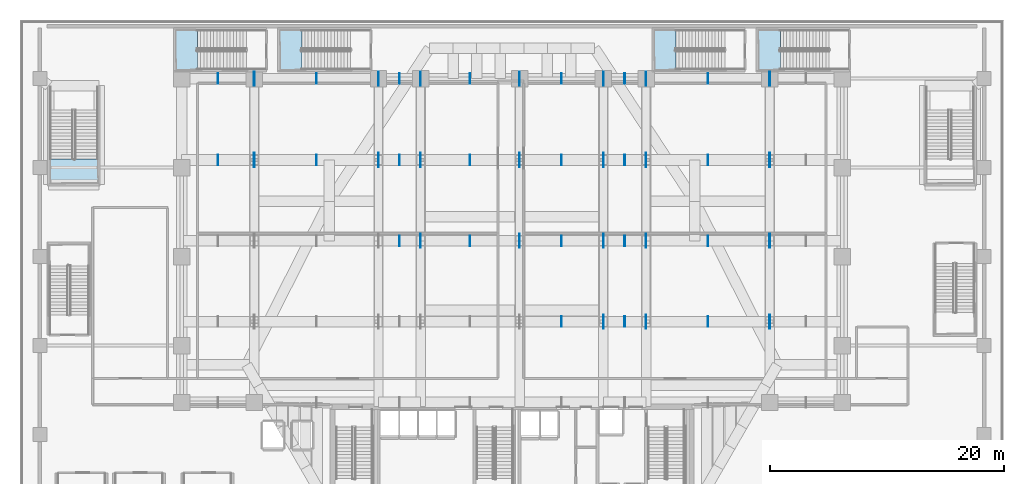
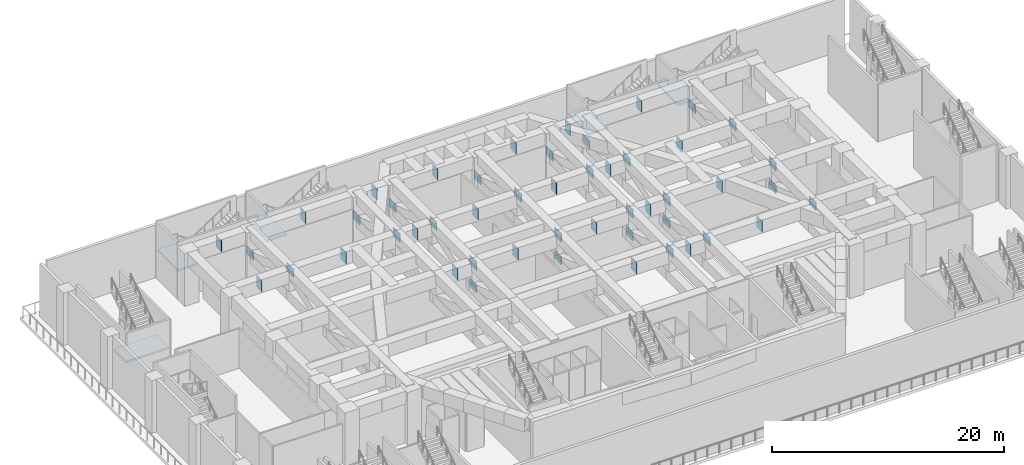
# One storey, part 7 of 27: 49 plates, 5 slabs, 5 elements without a shape of their own.
"""IFC4 building model written with IfcOpenShell, lengths in metres."""

from ifc_helpers import new_model, si_unit, direction, frame, origin, origin_2d, place, context, subcontext, project, spatial, polyline, rectangle, outline, extrude, material, layer, layer_set, type_object, element, aggregate, save


model = new_model("IFC4")

# Units and contexts
model_context = context("Model", 3, precision=1e-05, world=origin(), true_north=direction((0.0, 1.0)))
body_context = subcontext(model_context, "Body", "Model", "MODEL_VIEW")
ifc_project = project(units=[si_unit("LENGTHUNIT", "METRE"), si_unit("AREAUNIT", "SQUARE_METRE"), si_unit("VOLUMEUNIT", "CUBIC_METRE"), si_unit("PLANEANGLEUNIT", "RADIAN"), si_unit("MASSUNIT", "GRAM", prefix="KILO")], contexts=[model_context])

# Site, building, storey
site_placement = place(None, origin())
site = spatial("IfcSite", under=ifc_project, at=site_placement, CompositionType="ELEMENT")
building_placement = place(site_placement, origin())
building = spatial("IfcBuilding", under=site, at=building_placement, Name="Ndaravel Arena Tower", CompositionType="ELEMENT")
storey_placement = place(building_placement, frame((0.0, 0.0, 24.0)))
storey = spatial("IfcBuildingStorey", under=building, at=storey_placement, Name="L04", CompositionType="ELEMENT", Elevation=24.0)

# Plates
ifc_material_1 = material(Name="Steel S460", Category="steel")
ifc_layer_1 = layer(ifc_material_1, 0.06005859375)
ifc_layer_set_1 = layer_set([ifc_layer_1], Name="Steel S460")
plate_type_1 = type_object("IfcPlateType", Name="PLT-CAP-STF1", PredefinedType="USERDEFINED", material=ifc_layer_set_1)
for number, where, z_axis, x_axis, name in (
    (1, (46.22509765625, 22.25, 4.27978515625), (0.0, 0.0, 1.0), (1.0, 0.0, 0.0), "Box Stiffener Plate CP-2.5"),
    (2, (51.625, 22.25, 4.27978515625), (0.0, 0.0, 1.0), (1.0, 0.0, 0.0), "Box Stiffener Plate CP-2.6"),
    (3, (58.72509765625, 22.25, 4.27978515625), (0.0, 0.0, 1.0), (1.0, 0.0, 0.0), "Box Stiffener Plate CP-2.7"),
    (4, (32.39990234375, 29.14990234375, 4.27978515625), (0.0, 0.0, 1.0), (1.0, 0.0, 0.0), "Box Stiffener Plate CP-3.3"),
    (5, (38.425048828125, 29.14990234375, 4.27978515625), (0.0, 0.0, 1.0), (1.0, 0.0, 0.0), "Box Stiffener Plate CP-3.4"),
    (6, (46.22509765625, 29.14990234375, 4.27978515625), (0.0, 0.0, 1.0), (1.0, 0.0, 0.0), "Box Stiffener Plate CP-3.5"),
    (7, (51.625, 29.14990234375, 4.27978515625), (0.0, 0.0, 1.0), (1.0, 0.0, 0.0), "Box Stiffener Plate CP-3.6"),
    (8, (58.72509765625, 29.14990234375, 4.27978515625), (0.0, 0.0, 1.0), (1.0, 0.0, 0.0), "Box Stiffener Plate CP-3.7"),
    (9, (16.89990234375, 36.050048828125, 4.27978515625), (0.0, 0.0, 1.0), (1.0, 0.0, 0.0), "Box Stiffener Plate CP-4.1"),
    (10, (25.300048828125, 36.050048828125, 4.27978515625), (0.0, 0.0, 1.0), (1.0, 0.0, 0.0), "Box Stiffener Plate CP-4.2"),
    (11, (32.39990234375, 36.050048828125, 4.27978515625), (0.0, 0.0, 1.0), (1.0, 0.0, 0.0), "Box Stiffener Plate CP-4.3"),
    (12, (38.425048828125, 36.050048828125, 4.27978515625), (0.0, 0.0, 1.0), (1.0, 0.0, 0.0), "Box Stiffener Plate CP-4.4"),
    (13, (46.22509765625, 36.050048828125, 4.27978515625), (0.0, 0.0, 1.0), (1.0, 0.0, 0.0), "Box Stiffener Plate CP-4.5"),
    (14, (51.625, 36.050048828125, 4.27978515625), (0.0, 0.0, 1.0), (1.0, 0.0, 0.0), "Box Stiffener Plate CP-4.6"),
    (15, (58.72509765625, 36.050048828125, 4.27978515625), (0.0, 0.0, 1.0), (1.0, 0.0, 0.0), "Box Stiffener Plate CP-4.7"),
    (16, (16.89990234375, 43.0, 4.27978515625), (0.0, 0.0, 1.0), (1.0, 0.0, 0.0), "Box Stiffener Plate CP-5.1"),
    (17, (25.300048828125, 43.0, 4.27978515625), (0.0, 0.0, 1.0), (1.0, 0.0, 0.0), "Box Stiffener Plate CP-5.2"),
    (18, (32.39990234375, 43.0, 4.27978515625), (0.0, 0.0, 1.0), (1.0, 0.0, 0.0), "Box Stiffener Plate CP-5.3"),
    (19, (38.425048828125, 43.0, 4.27978515625), (0.0, 0.0, 1.0), (1.0, 0.0, 0.0), "Box Stiffener Plate CP-5.4"),
    (20, (46.22509765625, 43.0, 4.27978515625), (0.0, 0.0, 1.0), (1.0, 0.0, 0.0), "Box Stiffener Plate CP-5.5"),
    (21, (51.625, 43.0, 4.27978515625), (0.0, 0.0, 1.0), (1.0, 0.0, 0.0), "Box Stiffener Plate CP-5.6"),
    (22, (58.72509765625, 43.0, 4.27978515625), (0.0, 0.0, 1.0), (1.0, 0.0, 0.0), "Box Stiffener Plate CP-5.7"),
):
    element("IfcPlate", number, at=place(storey_placement, frame(where, z_axis=z_axis, x_axis=x_axis)), inside=storey, type_object=plate_type_1, Name=name, ObjectType="STIFFENER_PLATE", PredefinedType="USERDEFINED", context=body_context, shape_type="SweptSolid", body=[
        extrude(rectangle(XDim=0.06005859375, YDim=0.89990234375, at=origin_2d()), origin(), (0.0, 0.0, 1.0), 1.199951171875),
    ])
ifc_material_2 = material(Name="Steel S460", Category="steel")
ifc_layer_2 = layer(ifc_material_2, 0.054931640625)
ifc_layer_set_2 = layer_set([ifc_layer_2], Name="Steel S460")
plate_type_2 = type_object("IfcPlateType", Name="PLT-GUSSET-TN2", PredefinedType="USERDEFINED", material=ifc_layer_set_2)
for number, where, z_axis, x_axis, name in (
    (23, (20.0, 36.050048828125, 4.75), (0.0, 0.0, 1.0), (1.0, 0.0, 0.0), "Transfer Node Gusset TN-003"),
    (24, (30.60009765625, 36.050048828125, 4.75), (0.0, 0.0, 1.0), (1.0, 0.0, 0.0), "Transfer Node Gusset TN-006"),
    (25, (34.199951171875, 29.14990234375, 4.75), (0.0, 0.0, 1.0), (1.0, 0.0, 0.0), "Transfer Node Gusset TN-008"),
    (26, (34.199951171875, 36.050048828125, 4.75), (0.0, 0.0, 1.0), (1.0, 0.0, 0.0), "Transfer Node Gusset TN-009"),
    (27, (42.64990234375, 29.14990234375, 4.75), (0.0, 0.0, 1.0), (1.0, 0.0, 0.0), "Transfer Node Gusset TN-011"),
    (28, (42.64990234375, 36.050048828125, 4.75), (0.0, 0.0, 1.0), (1.0, 0.0, 0.0), "Transfer Node Gusset TN-012"),
    (29, (49.800048828125, 22.25, 4.75), (0.0, 0.0, 1.0), (1.0, 0.0, 0.0), "Transfer Node Gusset TN-013"),
    (30, (49.800048828125, 29.14990234375, 4.75), (0.0, 0.0, 1.0), (1.0, 0.0, 0.0), "Transfer Node Gusset TN-014"),
    (31, (49.800048828125, 36.050048828125, 4.75), (0.0, 0.0, 1.0), (1.0, 0.0, 0.0), "Transfer Node Gusset TN-015"),
    (32, (53.449951171875, 22.25, 4.75), (0.0, 0.0, 1.0), (1.0, 0.0, 0.0), "Transfer Node Gusset TN-016"),
    (33, (53.449951171875, 29.14990234375, 4.75), (0.0, 0.0, 1.0), (1.0, 0.0, 0.0), "Transfer Node Gusset TN-017"),
    (34, (53.449951171875, 36.050048828125, 4.75), (0.0, 0.0, 1.0), (1.0, 0.0, 0.0), "Transfer Node Gusset TN-018"),
    (35, (64.0, 22.25, 4.75), (0.0, 0.0, 1.0), (1.0, 0.0, 0.0), "Transfer Node Gusset TN-019"),
    (36, (64.0, 29.14990234375, 4.75), (0.0, 0.0, 1.0), (1.0, 0.0, 0.0), "Transfer Node Gusset TN-020"),
    (37, (64.0, 36.050048828125, 4.75), (0.0, 0.0, 1.0), (1.0, 0.0, 0.0), "Transfer Node Gusset TN-021"),
    (38, (20.0, 43.0, 2.3701171875), (0.0, 0.0, 1.0), (1.0, 0.0, 0.0), "L04 Brace End Gusset Plate EGP-002"),
    (39, (30.60009765625, 43.0, 2.3701171875), (0.0, 0.0, 1.0), (1.0, 0.0, 0.0), "L04 Brace End Gusset Plate EGP-004"),
    (40, (34.199951171875, 29.14990234375, 2.3701171875), (0.0, 0.0, 1.0), (1.0, 0.0, 0.0), "L04 Brace End Gusset Plate EGP-005"),
    (41, (34.199951171875, 43.0, 2.3701171875), (0.0, 0.0, 1.0), (1.0, 0.0, 0.0), "L04 Brace End Gusset Plate EGP-006"),
    (42, (42.64990234375, 29.14990234375, 2.3701171875), (0.0, 0.0, 1.0), (1.0, 0.0, 0.0), "L04 Brace End Gusset Plate EGP-007"),
    (43, (42.64990234375, 43.0, 2.3701171875), (0.0, 0.0, 1.0), (1.0, 0.0, 0.0), "L04 Brace End Gusset Plate EGP-008"),
    (44, (49.800048828125, 29.14990234375, 2.3701171875), (0.0, 0.0, 1.0), (1.0, 0.0, 0.0), "L04 Brace End Gusset Plate EGP-009"),
    (45, (49.800048828125, 43.0, 2.3701171875), (0.0, 0.0, 1.0), (1.0, 0.0, 0.0), "L04 Brace End Gusset Plate EGP-010"),
    (46, (53.449951171875, 29.14990234375, 2.3701171875), (0.0, 0.0, 1.0), (1.0, 0.0, 0.0), "L04 Brace End Gusset Plate EGP-011"),
    (47, (53.449951171875, 43.0, 2.3701171875), (0.0, 0.0, 1.0), (1.0, 0.0, 0.0), "L04 Brace End Gusset Plate EGP-012"),
    (48, (64.0, 29.14990234375, 2.3701171875), (0.0, 0.0, 1.0), (1.0, 0.0, 0.0), "L04 Brace End Gusset Plate EGP-013"),
    (49, (64.0, 43.0, 2.3701171875), (0.0, 0.0, 1.0), (1.0, 0.0, 0.0), "L04 Brace End Gusset Plate EGP-014"),
):
    element("IfcPlate", number, at=place(storey_placement, frame(where, z_axis=z_axis, x_axis=x_axis)), inside=storey, type_object=plate_type_2, Name=name, ObjectType="GUSSET_PLATE", PredefinedType="USERDEFINED", context=body_context, shape_type="SweptSolid", body=[
        extrude(rectangle(XDim=0.054931640625, YDim=1.199951171875, at=origin_2d()), origin(), (0.0, 0.0, 1.0), 0.89990234375),
    ])

# Stair, slab
ifc_material_3 = material(Name="Concrete C40/50", Category="concrete")
stair_type_1 = type_object("IfcStairType", Name="STAIR-POD-QT", PredefinedType="QUARTER_TURN_STAIR", material=ifc_material_3)
stair_1_placement = place(storey_placement, origin())
stair_1 = element("IfcStair", 50, at=stair_1_placement, inside=storey, type_object=stair_type_1, Name="L04 ST-A08", PredefinedType="QUARTER_TURN_STAIR")
ifc_material_4 = material(Name="Concrete C40/50", Category="concrete")
ifc_layer_3 = layer(ifc_material_4, 0.199951171875)
ifc_layer_set_3 = layer_set([ifc_layer_3], Name="Concrete C40/50")
slab_type = type_object("IfcSlabType", Name="SLAB-STAIR-LANDING", PredefinedType="LANDING", material=ifc_layer_set_3)
slab_1_placement = place(storey_placement, frame((0.0, 0.0, 2.800048828125)))
slab_1 = element("IfcSlab", 51, at=slab_1_placement, type_object=slab_type, Name="ST-A08 landing 1", PredefinedType="LANDING", context=body_context, shape_type="SweptSolid", body=[
    extrude(outline(polyline([(15.1650390625, 47.219970703125), (13.219970703125, 47.219970703125), (13.219970703125, 43.679931640625), (15.1650390625, 43.679931640625), (15.1650390625, 47.219970703125)])), origin(), (0.0, 0.0, 1.0), 0.199951171875),
])
aggregate(stair_1, [slab_1])

stair_2_placement = place(storey_placement, origin())
stair_2 = element("IfcStair", 52, at=stair_2_placement, inside=storey, type_object=stair_type_1, Name="L04 ST-A09", PredefinedType="QUARTER_TURN_STAIR")
slab_2_placement = place(storey_placement, frame((0.0, 0.0, 2.800048828125)))
slab_2 = element("IfcSlab", 53, at=slab_2_placement, type_object=slab_type, Name="ST-A09 landing 1", PredefinedType="LANDING", context=body_context, shape_type="SweptSolid", body=[
    extrude(outline(polyline([(24.06494140625, 47.219970703125), (22.1201171875, 47.219970703125), (22.1201171875, 43.679931640625), (24.06494140625, 43.679931640625), (24.06494140625, 47.219970703125)])), origin(), (0.0, 0.0, 1.0), 0.199951171875),
])
aggregate(stair_2, [slab_2])

stair_3_placement = place(storey_placement, origin())
stair_3 = element("IfcStair", 54, at=stair_3_placement, inside=storey, type_object=stair_type_1, Name="L04 ST-A10", PredefinedType="QUARTER_TURN_STAIR")
slab_3_placement = place(storey_placement, frame((0.0, 0.0, 2.800048828125)))
slab_3 = element("IfcSlab", 55, at=slab_3_placement, type_object=slab_type, Name="ST-A10 landing 1", PredefinedType="LANDING", context=body_context, shape_type="SweptSolid", body=[
    extrude(outline(polyline([(56.014892578125, 47.219970703125), (54.070068359375, 47.219970703125), (54.070068359375, 43.679931640625), (56.014892578125, 43.679931640625), (56.014892578125, 47.219970703125)])), origin(), (0.0, 0.0, 1.0), 0.199951171875),
])
aggregate(stair_3, [slab_3])

stair_4_placement = place(storey_placement, origin())
stair_4 = element("IfcStair", 56, at=stair_4_placement, inside=storey, type_object=stair_type_1, Name="L04 ST-A11", PredefinedType="QUARTER_TURN_STAIR")
slab_4_placement = place(storey_placement, frame((0.0, 0.0, 2.800048828125)))
slab_4 = element("IfcSlab", 57, at=slab_4_placement, type_object=slab_type, Name="ST-A11 landing 1", PredefinedType="LANDING", context=body_context, shape_type="SweptSolid", body=[
    extrude(outline(polyline([(64.9150390625, 47.219970703125), (62.969970703125, 47.219970703125), (62.969970703125, 43.679931640625), (64.9150390625, 43.679931640625), (64.9150390625, 47.219970703125)])), origin(), (0.0, 0.0, 1.0), 0.199951171875),
])
aggregate(stair_4, [slab_4])

ifc_material_5 = material(Name="Concrete C40/50", Category="concrete")
stair_type_2 = type_object("IfcStairType", Name="STAIR-FEAT-TSR", PredefinedType="TWO_STRAIGHT_RUN_STAIR", material=ifc_material_5)
stair_5_placement = place(storey_placement, origin())
stair_5 = element("IfcStair", 58, at=stair_5_placement, inside=storey, type_object=stair_type_2, Name="L04 ST-GDN-1", PredefinedType="TWO_STRAIGHT_RUN_STAIR")
slab_5_placement = place(storey_placement, frame((0.0, 0.0, 2.800048828125)))
slab_5 = element("IfcSlab", 59, at=slab_5_placement, type_object=slab_type, Name="ST-GDN-1 landing 1", PredefinedType="LANDING", context=body_context, shape_type="SweptSolid", body=[
    extrude(outline(polyline([(2.469970703125, 36.155029296875), (2.469970703125, 33.969970703125), (6.72998046875, 33.969970703125), (6.72998046875, 36.155029296875), (2.469970703125, 36.155029296875)])), origin(), (0.0, 0.0, 1.0), 0.199951171875),
])
aggregate(stair_5, [slab_5])

save(model, "model.ifc")
